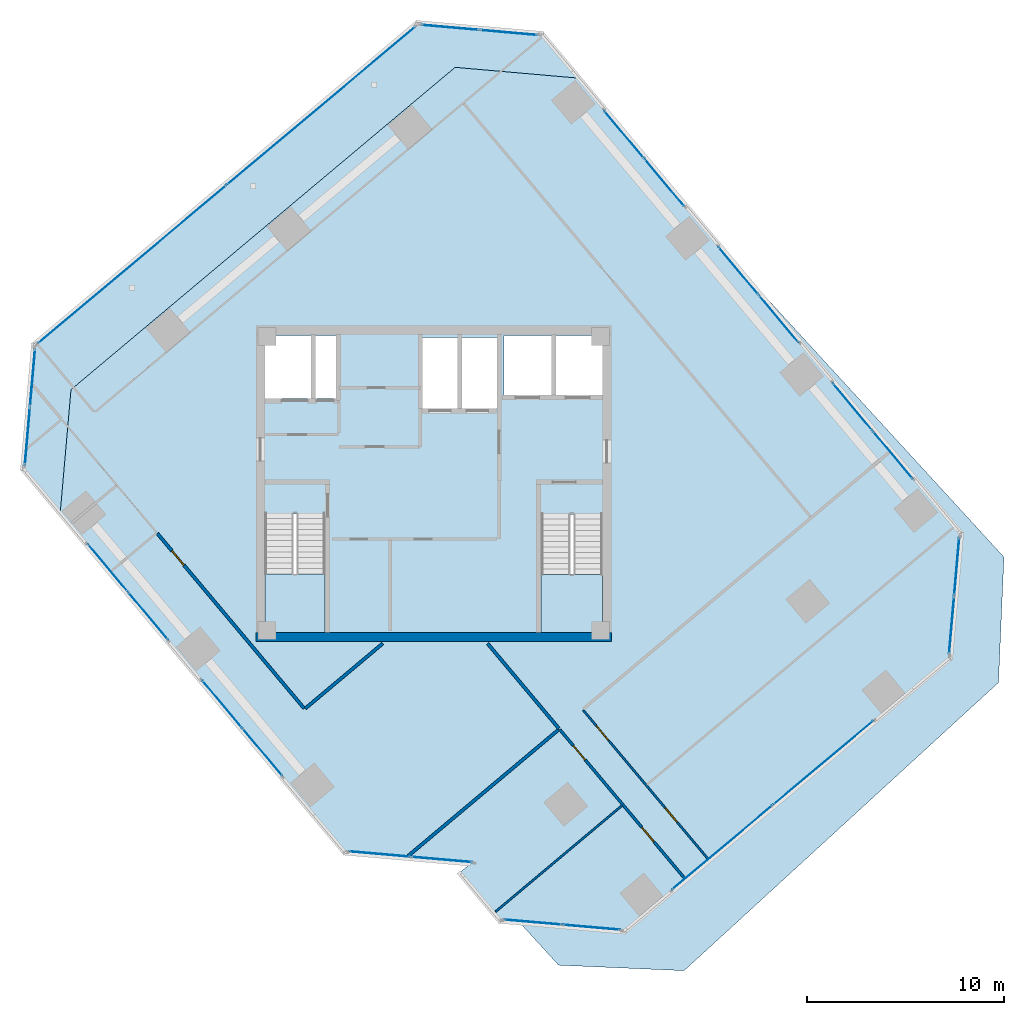
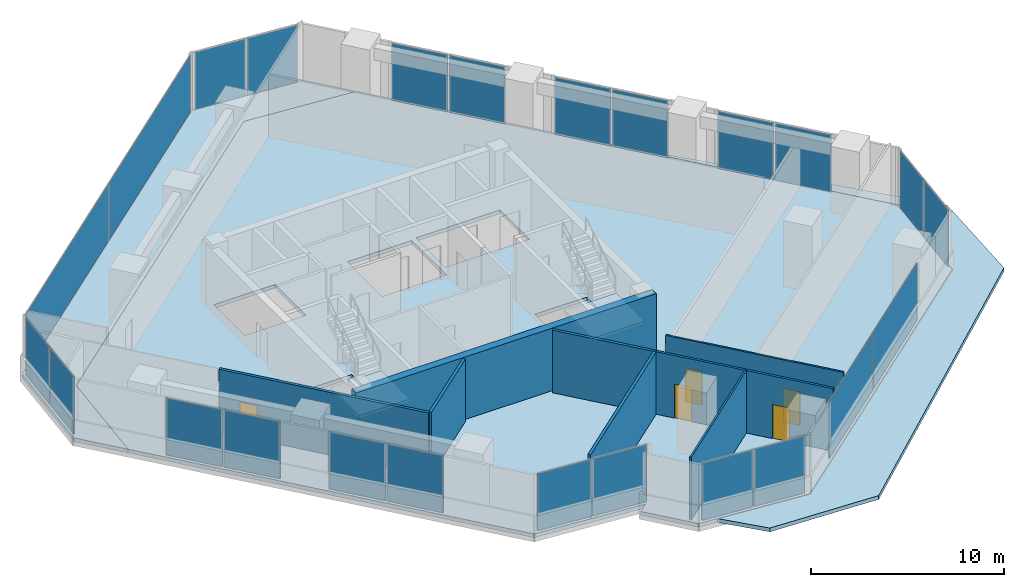
# One storey, part 12 of 17: 24 plates, 8 walls, 5 doors, 5 slabs, 5 openings, 14 elements without a shape of their own.
"""IFC4 building model written with IfcOpenShell, lengths in metres."""

import ifcopenshell
import ifcopenshell.guid

model = None  # the IFC model being written
_history = None  # IfcOwnerHistory: only IFC2X3 demands one
_inside = {}  # id of a spatial element -> (the spatial element, [elements in it])
_under = {}  # id of a project, library or spatial element -> (it, [spatial elements below it])
_declared = {}  # id of a project -> (the project, [libraries it declares])
_typed = {}  # id of a type object -> (the type object, [elements of that type])
_made_of = {}  # id of a material, layer set ... -> (it, [elements and type objects made of it])


def new_model(schema):
    """Start an empty IFC model of exactly this schema.

    Asked for "IFC4X3", IfcOpenShell would pick the latest addendum, in which some entities
    have other attributes; the version numbers below select the first issue.
    IFC2X3 requires an IfcOwnerHistory on every rooted entity: one is made here for all.
    """
    global model, _history
    if schema == "IFC4X3":
        model = ifcopenshell.file(schema_version=(4, 3, 0, 0))
    else:
        model = ifcopenshell.file(schema=schema)
    _inside.clear()
    _under.clear()
    _declared.clear()
    _typed.clear()
    _made_of.clear()
    _history = None
    if model.schema == "IFC2X3":
        org = make("IfcOrganization", Name="unknown")
        user = make(
            "IfcPersonAndOrganization",
            ThePerson=make("IfcPerson", FamilyName="unknown"),
            TheOrganization=org,
        )
        app = make(
            "IfcApplication",
            ApplicationDeveloper=org,
            Version="unknown",
            ApplicationFullName="unknown",
            ApplicationIdentifier="unknown",
        )
        _history = make(
            "IfcOwnerHistory",
            OwningUser=user,
            OwningApplication=app,
            ChangeAction="ADDED",
            CreationDate=0,
        )
    return model


def make(cls, **values):
    """One entity of the class cls with the attributes given. An attribute that is None is left unset."""
    return model.create_entity(
        cls, **{name: value for name, value in values.items() if value is not None}
    )


def rooted(cls, **values):
    """An entity with a GlobalId (a new one), such as an element, a storey or a relation."""
    return make(cls, GlobalId=ifcopenshell.guid.new(), OwnerHistory=_history, **values)


def si_unit(unit_type, name, prefix=None):
    """IfcSIUnit, for example si_unit("LENGTHUNIT", "METRE", prefix="MILLI")."""
    return make("IfcSIUnit", UnitType=unit_type, Prefix=prefix, Name=name)


def assignment(units):
    """IfcUnitAssignment: the units of a project."""
    return None if units is None else make("IfcUnitAssignment", Units=units)


def point(xyz):
    """IfcCartesianPoint."""
    return None if xyz is None else make("IfcCartesianPoint", Coordinates=xyz)


def direction(xyz):
    """IfcDirection."""
    return None if xyz is None else make("IfcDirection", DirectionRatios=xyz)


def frame(location, z_axis=None, x_axis=None):
    """IfcAxis2Placement3D, a coordinate frame: its origin and axes. An axis left out is left unset."""
    return make(
        "IfcAxis2Placement3D",
        Location=point(location),
        Axis=direction(z_axis),
        RefDirection=direction(x_axis),
    )


def frame_2d(location, x_axis=None):
    """IfcAxis2Placement2D, a coordinate frame in the plane: its origin and x axis."""
    return make(
        "IfcAxis2Placement2D", Location=point(location), RefDirection=direction(x_axis)
    )


def origin():
    """The frame at (0, 0, 0) with its axes left unset."""
    return frame((0.0, 0.0, 0.0))


def origin_2d():
    """The frame at (0, 0) in the plane with its x axis left unset."""
    return frame_2d((0.0, 0.0))


def place(relative_to, where):
    """IfcLocalPlacement: puts the frame where relative to a parent placement (None: the world)."""
    return make(
        "IfcLocalPlacement", PlacementRelTo=relative_to, RelativePlacement=where
    )


def context(
    kind, dimensions, precision=None, world=None, true_north=None, identifier=None
):
    """IfcGeometricRepresentationContext, for example the 3D "Model" context."""
    return make(
        "IfcGeometricRepresentationContext",
        ContextIdentifier=identifier,
        ContextType=kind,
        CoordinateSpaceDimension=dimensions,
        Precision=precision,
        WorldCoordinateSystem=world,
        TrueNorth=true_north,
    )


def subcontext(parent, identifier, kind, view, scale=None):
    """IfcGeometricRepresentationSubContext, for example "Body" below "Model"."""
    return make(
        "IfcGeometricRepresentationSubContext",
        ContextIdentifier=identifier,
        ContextType=kind,
        ParentContext=parent,
        TargetScale=scale,
        TargetView=view,
    )


def project(units=None, contexts=None):
    """IfcProject with its units and contexts."""
    return rooted(
        "IfcProject",
        Name="project",
        RepresentationContexts=contexts,
        UnitsInContext=assignment(units),
    )


def spatial(cls, under=None, at=None, **own):
    """A site, building, storey or space (cls), placed at a placement, below another one or the project."""
    s = rooted(cls, ObjectPlacement=at, **own)
    if under is not None:
        _under.setdefault(under.id(), (under, []))[1].append(s)
    return s


def polyline(points):
    """IfcPolyline through the points."""
    return make("IfcPolyline", Points=[point(p) for p in points])


def profile(cls, at=None, kind="AREA", **sizes):
    """A parametric profile (cls). Its sizes go by their IFC names, for example OverallWidth=200.0."""
    return make(cls, ProfileType=kind, Position=at, **sizes)


def rectangle(**sizes):
    """IfcRectangleProfileDef."""
    return profile("IfcRectangleProfileDef", **sizes)


def outline(outer, holes=None, kind="AREA"):
    """IfcArbitraryClosedProfileDef: a profile drawn as a closed curve; with holes, ...WithVoids."""
    if holes is None:
        return make("IfcArbitraryClosedProfileDef", ProfileType=kind, OuterCurve=outer)
    return make(
        "IfcArbitraryProfileDefWithVoids",
        ProfileType=kind,
        OuterCurve=outer,
        InnerCurves=holes,
    )


def extrude(swept, where, along, depth):
    """IfcExtrudedAreaSolid: the profile swept, set in the frame where, extruded along a direction by depth."""
    return make(
        "IfcExtrudedAreaSolid",
        SweptArea=swept,
        Position=where,
        ExtrudedDirection=direction(along),
        Depth=depth,
    )


def shape(context_of_items, identifier, shape_type, items):
    """IfcShapeRepresentation: the items that make up one representation, for example the "Body"."""
    return make(
        "IfcShapeRepresentation",
        ContextOfItems=context_of_items,
        RepresentationIdentifier=identifier,
        RepresentationType=shape_type,
        Items=items,
    )


def source(mapping_origin, context_of_items, identifier, shape_type, items):
    """IfcRepresentationMap: a shape defined once, which mapped items show again and again."""
    return make(
        "IfcRepresentationMap",
        MappingOrigin=mapping_origin,
        MappedRepresentation=shape(context_of_items, identifier, shape_type, items),
    )


def transform(
    local_origin,
    x_axis=None,
    y_axis=None,
    z_axis=None,
    scale=None,
    scale2=None,
    scale3=None,
    uniform=True,
):
    """IfcCartesianTransformationOperator3D, or its non-uniform kind. x_axis, y_axis, z_axis: its Axis1, 2, 3."""
    if uniform:
        return make(
            "IfcCartesianTransformationOperator3D",
            Axis1=direction(x_axis),
            Axis2=direction(y_axis),
            LocalOrigin=point(local_origin),
            Scale=scale,
            Axis3=direction(z_axis),
        )
    return make(
        "IfcCartesianTransformationOperator3DnonUniform",
        Axis1=direction(x_axis),
        Axis2=direction(y_axis),
        LocalOrigin=point(local_origin),
        Scale=scale,
        Axis3=direction(z_axis),
        Scale2=scale2,
        Scale3=scale3,
    )


def mapped(mapping_source, mapping_target):
    """IfcMappedItem: shows the shape of a source again, moved by a transform."""
    return make(
        "IfcMappedItem", MappingSource=mapping_source, MappingTarget=mapping_target
    )


def material(Name=None, Category=None):
    """IfcMaterial."""
    return make("IfcMaterial", Name=Name, Category=Category)


def layer(
    of_material, thickness, ventilated=None, Name=None, Category=None, Priority=None
):
    """IfcMaterialLayer: one layer of a wall or slab, of a material (None: an air gap)."""
    return make(
        "IfcMaterialLayer",
        Material=of_material,
        LayerThickness=thickness,
        IsVentilated=ventilated,
        Name=Name,
        Category=Category,
        Priority=Priority,
    )


def layer_set(layers, Name=None):
    """IfcMaterialLayerSet."""
    return make("IfcMaterialLayerSet", MaterialLayers=layers, LayerSetName=Name)


def made_of(thing, what):
    """Note that an element or type object is made of a material, layer set ...; save() writes the relation."""
    if what is not None:
        _made_of.setdefault(what.id(), (what, []))[1].append(thing)
    return thing


def type_object(cls, material=None, **own):
    """A type object (cls), such as IfcWallType, which elements share."""
    return made_of(rooted(cls, **own), material)


def element(
    cls,
    number,
    at=None,
    inside=None,
    cuts=None,
    type_object=None,
    material=None,
    context=None,
    identifier="Body",
    shape_type=None,
    held_by="IfcProductDefinitionShape",
    body=None,
    shapes=None,
    **own,
):
    """One element of the class cls, such as IfcWall. Its Tag is "e" and its number.

    at: its placement. inside: the storey or other place that contains it. cuts: it is an
    opening in that element (IfcRelVoidsElement). A single representation is given by context,
    identifier, shape_type and body (its items); several are given by shapes. held_by: the class
    of the entity that holds the representations. save() writes the other relations.
    """
    e = rooted(cls, Tag="e%d" % number, ObjectPlacement=at, **own)
    if body is not None:
        shapes = [shape(context, identifier, shape_type, body)]
    if shapes is not None:
        e.Representation = make(held_by, Representations=shapes)
    if inside is not None:
        _inside.setdefault(inside.id(), (inside, []))[1].append(e)
    if cuts is not None:
        rooted(
            "IfcRelVoidsElement", RelatingBuildingElement=cuts, RelatedOpeningElement=e
        )
    if type_object is not None:
        _typed.setdefault(type_object.id(), (type_object, []))[1].append(e)
    return made_of(e, material)


def fill(opening, filler):
    """IfcRelFillsElement: the door or window that sits in an opening."""
    return rooted(
        "IfcRelFillsElement",
        RelatingOpeningElement=opening,
        RelatedBuildingElement=filler,
    )


def aggregate(whole, parts):
    """IfcRelAggregates: a whole, such as a stair, and the parts it consists of."""
    return rooted("IfcRelAggregates", RelatingObject=whole, RelatedObjects=parts)


def save(model, path):
    """Write the relations noted so far, then the file.

    IfcRelAggregates (storeys below a building ...), IfcRelContainedInSpatialStructure (elements
    in a storey), IfcRelDefinesByType, IfcRelAssociatesMaterial and IfcRelDeclares: one each for
    every whole, place, type object, material and project.
    """
    for whole, parts in _under.values():
        aggregate(whole, parts)
    for where, things in _inside.values():
        rooted(
            "IfcRelContainedInSpatialStructure",
            RelatedElements=things,
            RelatingStructure=where,
        )
    for kind, things in _typed.values():
        rooted("IfcRelDefinesByType", RelatedObjects=things, RelatingType=kind)
    for what, things in _made_of.values():
        rooted("IfcRelAssociatesMaterial", RelatedObjects=things, RelatingMaterial=what)
    for by, libraries in _declared.values():
        rooted("IfcRelDeclares", RelatingContext=by, RelatedDefinitions=libraries)
    model.write(path)


model = new_model("IFC4")

# Units and contexts
model_context = context("Model", 3, precision=1e-05, world=origin(), true_north=direction((0.0, 1.0)))
body_context = subcontext(model_context, "Body", "Model", "MODEL_VIEW")
ifc_project = project(units=[si_unit("LENGTHUNIT", "METRE"), si_unit("AREAUNIT", "SQUARE_METRE"), si_unit("VOLUMEUNIT", "CUBIC_METRE"), si_unit("PLANEANGLEUNIT", "RADIAN"), si_unit("MASSUNIT", "GRAM", prefix="KILO")], contexts=[model_context])

# Site, building, storey
site_placement = place(None, origin())
site = spatial("IfcSite", under=ifc_project, at=site_placement, CompositionType="ELEMENT")
building_placement = place(site_placement, origin())
building = spatial("IfcBuilding", under=site, at=building_placement, Name="Torre Montelarca", CompositionType="ELEMENT")
storey_placement = place(building_placement, frame((0.0, 0.0, 266.800048828125)))
storey = spatial("IfcBuildingStorey", under=building, at=storey_placement, Name="L60", CompositionType="ELEMENT", Elevation=266.800048828125)

# Slabs
ifc_material_1 = material(Name="Concrete C40/50", Category="concrete")
ifc_layer_1 = layer(ifc_material_1, 0.239990234375, Name="Concrete C40/50", Category="concrete")
ifc_layer_set_1 = layer_set([ifc_layer_1], Name="Concrete C40/50")
slab_type_1 = type_object("IfcSlabType", Name="SL-FLR-240", PredefinedType="FLOOR", material=ifc_layer_set_1)
slab_1_placement = place(storey_placement, frame((0.0, 0.0, -0.239990234375)))
element("IfcSlab", 1, at=slab_1_placement, inside=storey, type_object=slab_type_1, Name="L60 Structural Floor Slab", PredefinedType="FLOOR", context=body_context, shape_type="SweptSolid", body=[
    extrude(outline(polyline([(13.4716796875, 13.253662109375), (19.811279296875, 12.698974609375), (19.275146484375, 12.2490234375), (21.33203125, 9.797607421875), (27.671875, 9.2431640625), (44.218505859375, 23.127197265625), (44.77294921875, 29.467041015625), (25.425048828125, 52.52490234375), (19.08544921875, 53.07958984375), (-0.3720703125, 36.752685546875), (-0.9267578125, 30.4130859375), (13.4716796875, 13.253662109375)]), holes=[polyline([(26.550048828125, 24.449951171875), (23.43994140625, 24.449951171875), (23.43994140625, 30.429931640625), (26.550048828125, 30.429931640625), (26.550048828125, 24.449951171875)]), polyline([(12.5, 24.449951171875), (9.449951171875, 24.449951171875), (9.449951171875, 30.4599609375), (12.5, 30.4599609375), (12.5, 24.449951171875)]), polyline([(21.25, 39.39990234375), (21.25, 35.800048828125), (17.39990234375, 35.800048828125), (17.39990234375, 39.39990234375), (21.25, 39.39990234375)]), polyline([(13.1201171875, 36.300048828125), (9.449951171875, 36.300048828125), (9.449951171875, 39.5), (13.1201171875, 39.5), (13.1201171875, 36.300048828125)]), polyline([(26.60009765625, 36.449951171875), (21.550048828125, 36.449951171875), (21.550048828125, 39.5), (26.60009765625, 39.5), (26.60009765625, 36.449951171875)])]), origin(), (0.0, 0.0, 1.0), 0.239990234375),
])
slab_2_placement = place(storey_placement, frame((0.0, 0.0, -0.239990234375)))
element("IfcSlab", 2, at=slab_2_placement, inside=storey, type_object=slab_type_1, Name="L60 Sliding Tray Winter Garden Floor Slab W1", PredefinedType="FLOOR", context=body_context, shape_type="SweptSolid", body=[
    extrude(outline(polyline([(-0.9267578125, 30.4130859375), (-0.3720703125, 36.752685546875), (19.08544921875, 53.07958984375), (25.425048828125, 52.52490234375), (23.496826171875, 54.822998046875), (17.156982421875, 55.377685546875), (-2.300537109375, 39.05078125), (-2.855224609375, 32.711181640625), (-0.9267578125, 30.4130859375)])), origin(), (0.0, 0.0, 1.0), 0.239990234375),
])
ifc_material_2 = material(Name="Architectural concrete C40/50", Category="concrete")
ifc_layer_2 = layer(ifc_material_2, 0.239990234375, Name="Architectural concrete C40/50", Category="concrete")
ifc_layer_set_2 = layer_set([ifc_layer_2], Name="Architectural concrete C40/50")
slab_type_2 = type_object("IfcSlabType", Name="SL-ROOF-EXT-240", PredefinedType="ROOF", material=ifc_layer_set_2)
slab_3_placement = place(storey_placement, frame((0.0, 0.0, -0.239990234375)))
element("IfcSlab", 3, at=slab_3_placement, inside=storey, type_object=slab_type_2, Name="L59 Setback and Tray Overhang Roof Cap Slab 01", PredefinedType="ROOF", context=body_context, shape_type="SweptSolid", body=[
    extrude(outline(polyline([(44.78125, 29.469482421875), (44.22607421875, 23.123291015625), (27.67431640625, 9.23486328125), (22.406982421875, 9.695556640625), (24.327392578125, 7.599609375), (30.685302734375, 7.322021484375), (46.610595703125, 21.914794921875), (46.88818359375, 28.272705078125), (33.80712890625, 42.548095703125), (44.78125, 29.469482421875)])), origin(), (0.0, 0.0, 1.0), 0.239990234375),
])

# Stair, slab
stair_type_1 = type_object("IfcStairType", Name="ST-CORE-ST1", PredefinedType="HALF_TURN_STAIR", material=ifc_material_1)
stair_1_placement = place(storey_placement, origin())
stair_1 = element("IfcStair", 4, at=stair_1_placement, inside=storey, type_object=stair_type_1, Name="L60 Protected Exit Stair ST1", PredefinedType="HALF_TURN_STAIR")
ifc_layer_3 = layer(ifc_material_1, 0.199951171875, Name="Concrete C40/50", Category="concrete")
ifc_layer_set_3 = layer_set([ifc_layer_3], Name="Concrete C40/50")
slab_type_3 = type_object("IfcSlabType", Name="SL-ST-LAND-ST1", PredefinedType="LANDING", material=ifc_layer_set_3)
slab_4_placement = place(storey_placement, frame((0.0, 0.0, 1.89990234375)))
slab_4 = element("IfcSlab", 5, at=slab_4_placement, type_object=slab_type_3, Name="ST1 landing 1", PredefinedType="LANDING", context=body_context, shape_type="SweptSolid", body=[
    extrude(outline(polyline([(9.449951171875, 27.419921875), (9.449951171875, 24.449951171875), (12.5, 24.449951171875), (12.5, 27.419921875), (9.449951171875, 27.419921875)])), origin(), (0.0, 0.0, 1.0), 0.199951171875),
])
aggregate(stair_1, [slab_4])

stair_type_2 = type_object("IfcStairType", Name="ST-CORE-ST2", PredefinedType="HALF_TURN_STAIR", material=ifc_material_1)
stair_2_placement = place(storey_placement, origin())
stair_2 = element("IfcStair", 6, at=stair_2_placement, inside=storey, type_object=stair_type_2, Name="L60 Protected Exit Stair ST2", PredefinedType="HALF_TURN_STAIR")
ifc_layer_4 = layer(ifc_material_1, 0.199951171875, Name="Concrete C40/50", Category="concrete")
ifc_layer_set_4 = layer_set([ifc_layer_4], Name="Concrete C40/50")
slab_type_4 = type_object("IfcSlabType", Name="SL-ST-LAND-ST2", PredefinedType="LANDING", material=ifc_layer_set_4)
slab_5_placement = place(storey_placement, frame((0.0, 0.0, 1.89990234375)))
slab_5 = element("IfcSlab", 7, at=slab_5_placement, type_object=slab_type_4, Name="ST2 landing 1", PredefinedType="LANDING", context=body_context, shape_type="SweptSolid", body=[
    extrude(outline(polyline([(23.43994140625, 27.389892578125), (23.43994140625, 24.449951171875), (26.550048828125, 24.449951171875), (26.550048828125, 27.389892578125), (23.43994140625, 27.389892578125)])), origin(), (0.0, 0.0, 1.0), 0.199951171875),
])
aggregate(stair_2, [slab_5])

# Curtain wall, plates
ifc_material_3 = material(Name="Insulated low-E laminated glass", Category="glass")
curtain_wall_type = type_object("IfcCurtainWallType", Name="CW-SYS-Z3", PredefinedType="USERDEFINED", material=ifc_material_3)
curtain_wall_1_placement = place(storey_placement, origin())
curtain_wall_1 = element("IfcCurtainWall", 8, at=curtain_wall_1_placement, inside=storey, type_object=curtain_wall_type, Name="L60 Curtain Wall Run CW-T3-L60-E02-B1", ObjectType="UNITISED GLAZING", PredefinedType="USERDEFINED")
ifc_layer_5 = layer(ifc_material_3, 0.031982421875, Name="Insulated low-E laminated glass", Category="glass")
ifc_layer_set_5 = layer_set([ifc_layer_5], Name="Insulated low-E laminated glass")
plate_type = type_object("IfcPlateType", Name="CWP-GLZ-32", PredefinedType="CURTAIN_PANEL", material=ifc_layer_set_5)
shared_shape_1 = source(origin(), body_context, "Body", "SweptSolid", [
    extrude(rectangle(XDim=3.08740234375, YDim=0.031982421875, at=origin_2d()), origin(), (0.0, 0.0, 1.0), 3.610107421875),
])
plate_1_placement = place(storey_placement, frame((15.2607421875, 13.227783203125, 0.0546875), z_axis=(0.0, 0.0, 1.0), x_axis=(0.996193123861, -0.087173734413, 0.0)))
plate_1 = element("IfcPlate", 9, at=plate_1_placement, type_object=plate_type, Name="CW panel 1.1", PredefinedType="CURTAIN_PANEL", context=body_context, shape_type="MappedRepresentation", body=[
    mapped(shared_shape_1, transform((0.0, 0.0, 0.0), scale=1.0)),
])
plate_2_placement = place(storey_placement, frame((18.4111328125, 12.951904296875, 0.0546875), z_axis=(0.0, 0.0, 1.0), x_axis=(0.996193123861, -0.087173734413, 0.0)))
plate_2 = element("IfcPlate", 10, at=plate_2_placement, type_object=plate_type, Name="CW panel 2.1", PredefinedType="CURTAIN_PANEL", context=body_context, shape_type="MappedRepresentation", body=[
    mapped(shared_shape_1, transform((0.0, 0.0, 0.0), scale=1.0)),
])
aggregate(curtain_wall_1, [plate_1, plate_2])

curtain_wall_2_placement = place(storey_placement, origin())
curtain_wall_2 = element("IfcCurtainWall", 11, at=curtain_wall_2_placement, inside=storey, type_object=curtain_wall_type, Name="L60 Curtain Wall Run CW-T3-L60-E05-B1", ObjectType="UNITISED GLAZING", PredefinedType="USERDEFINED")
shared_shape_2 = source(origin(), body_context, "Body", "SweptSolid", [
    extrude(rectangle(XDim=2.903564453125, YDim=0.031982421875, at=origin_2d()), origin(), (0.0, 0.0, 1.0), 3.610107421875),
])
plate_3_placement = place(storey_placement, frame((23.02978515625, 9.77978515625, 0.0546875), z_axis=(0.0, 0.0, 1.0), x_axis=(0.996193789473, -0.087166127681, 0.0)))
plate_3 = element("IfcPlate", 12, at=plate_3_placement, type_object=plate_type, Name="CW panel 1.1", PredefinedType="CURTAIN_PANEL", context=body_context, shape_type="MappedRepresentation", body=[
    mapped(shared_shape_2, transform((0.0, 0.0, 0.0), scale=1.0)),
])
plate_4_placement = place(storey_placement, frame((25.996826171875, 9.52001953125, 0.0546875), z_axis=(0.0, 0.0, 1.0), x_axis=(0.996193789473, -0.087166127681, 0.0)))
plate_4 = element("IfcPlate", 13, at=plate_4_placement, type_object=plate_type, Name="CW panel 2.1", PredefinedType="CURTAIN_PANEL", context=body_context, shape_type="MappedRepresentation", body=[
    mapped(shared_shape_2, transform((0.0, 0.0, 0.0), scale=1.0)),
])
aggregate(curtain_wall_2, [plate_3, plate_4])

curtain_wall_3_placement = place(storey_placement, origin())
curtain_wall_3 = element("IfcCurtainWall", 14, at=curtain_wall_3_placement, inside=storey, type_object=curtain_wall_type, Name="L60 Curtain Wall Run CW-T3-L60-E07-B1", ObjectType="UNITISED GLAZING", PredefinedType="USERDEFINED")
plate_5_placement = place(storey_placement, frame((44.236328125, 24.824951171875, 0.0546875), z_axis=(0.0, 0.0, 1.0), x_axis=(0.087166127681, 0.996193789473, 0.0)))
plate_5 = element("IfcPlate", 15, at=plate_5_placement, type_object=plate_type, Name="CW panel 1.1", PredefinedType="CURTAIN_PANEL", context=body_context, shape_type="MappedRepresentation", body=[
    mapped(shared_shape_2, transform((0.0, 0.0, 0.0), scale=1.0)),
])
plate_6_placement = place(storey_placement, frame((44.49609375, 27.792236328125, 0.0546875), z_axis=(0.0, 0.0, 1.0), x_axis=(0.087166127681, 0.996193789473, 0.0)))
plate_6 = element("IfcPlate", 16, at=plate_6_placement, type_object=plate_type, Name="CW panel 2.1", PredefinedType="CURTAIN_PANEL", context=body_context, shape_type="MappedRepresentation", body=[
    mapped(shared_shape_2, transform((0.0, 0.0, 0.0), scale=1.0)),
])
aggregate(curtain_wall_3, [plate_5, plate_6])

curtain_wall_4_placement = place(storey_placement, origin())
curtain_wall_4 = element("IfcCurtainWall", 17, at=curtain_wall_4_placement, inside=storey, type_object=curtain_wall_type, Name="L60 Curtain Wall Run CW-T3-L60-E09-B1", ObjectType="UNITISED GLAZING", PredefinedType="USERDEFINED")
plate_7_placement = place(storey_placement, frame((21.79931640625, 54.841064453125, 0.0546875), z_axis=(0.0, 0.0, 1.0), x_axis=(-0.996193915427, 0.087164688188, 0.0)))
plate_7 = element("IfcPlate", 18, at=plate_7_placement, type_object=plate_type, Name="CW panel 1.1", PredefinedType="CURTAIN_PANEL", context=body_context, shape_type="MappedRepresentation", body=[
    mapped(shared_shape_2, transform((0.0, 0.0, 0.0), scale=1.0)),
])
plate_8_placement = place(storey_placement, frame((18.831787109375, 55.100830078125, 0.0546875), z_axis=(0.0, 0.0, 1.0), x_axis=(-0.996193915427, 0.087164688188, 0.0)))
plate_8 = element("IfcPlate", 19, at=plate_8_placement, type_object=plate_type, Name="CW panel 2.1", PredefinedType="CURTAIN_PANEL", context=body_context, shape_type="MappedRepresentation", body=[
    mapped(shared_shape_2, transform((0.0, 0.0, 0.0), scale=1.0)),
])
aggregate(curtain_wall_4, [plate_7, plate_8])

curtain_wall_5_placement = place(storey_placement, origin())
curtain_wall_5 = element("IfcCurtainWall", 20, at=curtain_wall_5_placement, inside=storey, type_object=curtain_wall_type, Name="L60 Curtain Wall Run CW-T3-L60-E11-B1", ObjectType="UNITISED GLAZING", PredefinedType="USERDEFINED")
plate_9_placement = place(storey_placement, frame((-2.318603515625, 37.353271484375, 0.0546875), z_axis=(0.0, 0.0, 1.0), x_axis=(-0.087182579501, -0.996192349816, 0.0)))
plate_9 = element("IfcPlate", 21, at=plate_9_placement, type_object=plate_type, Name="CW panel 1.1", PredefinedType="CURTAIN_PANEL", context=body_context, shape_type="MappedRepresentation", body=[
    mapped(shared_shape_2, transform((0.0, 0.0, 0.0), scale=1.0)),
])
plate_10_placement = place(storey_placement, frame((-2.578125, 34.385986328125, 0.0546875), z_axis=(0.0, 0.0, 1.0), x_axis=(-0.087182579501, -0.996192349816, 0.0)))
plate_10 = element("IfcPlate", 22, at=plate_10_placement, type_object=plate_type, Name="CW panel 2.1", PredefinedType="CURTAIN_PANEL", context=body_context, shape_type="MappedRepresentation", body=[
    mapped(shared_shape_2, transform((0.0, 0.0, 0.0), scale=1.0)),
])
aggregate(curtain_wall_5, [plate_9, plate_10])

curtain_wall_6_placement = place(storey_placement, origin())
curtain_wall_6 = element("IfcCurtainWall", 23, at=curtain_wall_6_placement, inside=storey, type_object=curtain_wall_type, Name="L60 Curtain Wall Run CW-T3-L60-E10-B1", ObjectType="UNITISED GLAZING", PredefinedType="USERDEFINED")
shared_shape_3 = source(origin(), body_context, "Body", "SweptSolid", [
    extrude(rectangle(XDim=12.421630859375, YDim=0.031982421875, at=origin_2d()), origin(), (0.0, 0.0, 1.0), 3.610107421875),
])
plate_11_placement = place(storey_placement, frame((12.29833984375, 51.131103515625, 0.0546875), z_axis=(0.0, 0.0, 1.0), x_axis=(-0.766043772472, -0.642788408931, 0.0)))
plate_11 = element("IfcPlate", 24, at=plate_11_placement, type_object=plate_type, Name="CW panel 1.1", PredefinedType="CURTAIN_PANEL", context=body_context, shape_type="MappedRepresentation", body=[
    mapped(shared_shape_3, transform((0.0, 0.0, 0.0), scale=1.0)),
])
plate_12_placement = place(storey_placement, frame((2.725341796875, 43.098388671875, 0.0546875), z_axis=(0.0, 0.0, 1.0), x_axis=(-0.766043772472, -0.642788408931, 0.0)))
plate_12 = element("IfcPlate", 25, at=plate_12_placement, type_object=plate_type, Name="CW panel 2.1", PredefinedType="CURTAIN_PANEL", context=body_context, shape_type="MappedRepresentation", body=[
    mapped(shared_shape_3, transform((0.0, 0.0, 0.0), scale=1.0)),
])
aggregate(curtain_wall_6, [plate_11, plate_12])

curtain_wall_7_placement = place(storey_placement, origin())
curtain_wall_7 = element("IfcCurtainWall", 26, at=curtain_wall_7_placement, inside=storey, type_object=curtain_wall_type, Name="L60 Curtain Wall Run CW-T3-L60-E01-B1", ObjectType="UNITISED GLAZING", PredefinedType="USERDEFINED")
shared_shape_4 = source(origin(), body_context, "Body", "SweptSolid", [
    extrude(rectangle(XDim=3.107421875, YDim=0.031982421875, at=origin_2d()), origin(), (0.0, 0.0, 1.0), 3.610107421875),
])
plate_13_placement = place(storey_placement, frame((1.492431640625, 27.732177734375, 0.0546875), z_axis=(0.0, 0.0, 1.0), x_axis=(0.642793968997, -0.766039106979, 0.0)))
plate_13 = element("IfcPlate", 27, at=plate_13_placement, type_object=plate_type, Name="CW panel 1.1", PredefinedType="CURTAIN_PANEL", context=body_context, shape_type="MappedRepresentation", body=[
    mapped(shared_shape_4, transform((0.0, 0.0, 0.0), scale=1.0)),
])
plate_14_placement = place(storey_placement, frame((3.5380859375, 25.294189453125, 0.0546875), z_axis=(0.0, 0.0, 1.0), x_axis=(0.642793968997, -0.766039106979, 0.0)))
plate_14 = element("IfcPlate", 28, at=plate_14_placement, type_object=plate_type, Name="CW panel 2.1", PredefinedType="CURTAIN_PANEL", context=body_context, shape_type="MappedRepresentation", body=[
    mapped(shared_shape_4, transform((0.0, 0.0, 0.0), scale=1.0)),
])
aggregate(curtain_wall_7, [plate_13, plate_14])

curtain_wall_8_placement = place(storey_placement, origin())
curtain_wall_8 = element("IfcCurtainWall", 29, at=curtain_wall_8_placement, inside=storey, type_object=curtain_wall_type, Name="L60 Curtain Wall Run CW-T3-L60-E01-B2", ObjectType="UNITISED GLAZING", PredefinedType="USERDEFINED")
plate_15_placement = place(storey_placement, frame((7.277587890625, 20.837646484375, 0.0546875), z_axis=(0.0, 0.0, 1.0), x_axis=(0.642793968997, -0.766039106979, 0.0)))
plate_15 = element("IfcPlate", 30, at=plate_15_placement, type_object=plate_type, Name="CW panel 1.1", PredefinedType="CURTAIN_PANEL", context=body_context, shape_type="MappedRepresentation", body=[
    mapped(shared_shape_4, transform((0.0, 0.0, 0.0), scale=1.0)),
])
plate_16_placement = place(storey_placement, frame((9.3232421875, 18.39990234375, 0.0546875), z_axis=(0.0, 0.0, 1.0), x_axis=(0.642793968997, -0.766039106979, 0.0)))
plate_16 = element("IfcPlate", 31, at=plate_16_placement, type_object=plate_type, Name="CW panel 2.1", PredefinedType="CURTAIN_PANEL", context=body_context, shape_type="MappedRepresentation", body=[
    mapped(shared_shape_4, transform((0.0, 0.0, 0.0), scale=1.0)),
])
aggregate(curtain_wall_8, [plate_15, plate_16])

curtain_wall_9_placement = place(storey_placement, origin())
curtain_wall_9 = element("IfcCurtainWall", 32, at=curtain_wall_9_placement, inside=storey, type_object=curtain_wall_type, Name="L60 Curtain Wall Run CW-T3-L60-E08-B1", ObjectType="UNITISED GLAZING", PredefinedType="USERDEFINED")
plate_17_placement = place(storey_placement, frame((41.260986328125, 33.4501953125, 0.0546875), z_axis=(0.0, 0.0, 1.0), x_axis=(-0.642793968997, 0.766039106979, 0.0)))
plate_17 = element("IfcPlate", 33, at=plate_17_placement, type_object=plate_type, Name="CW panel 1.1", PredefinedType="CURTAIN_PANEL", context=body_context, shape_type="MappedRepresentation", body=[
    mapped(shared_shape_4, transform((0.0, 0.0, 0.0), scale=1.0)),
])
plate_18_placement = place(storey_placement, frame((39.21533203125, 35.88818359375, 0.0546875), z_axis=(0.0, 0.0, 1.0), x_axis=(-0.642793968997, 0.766039106979, 0.0)))
plate_18 = element("IfcPlate", 34, at=plate_18_placement, type_object=plate_type, Name="CW panel 2.1", PredefinedType="CURTAIN_PANEL", context=body_context, shape_type="MappedRepresentation", body=[
    mapped(shared_shape_4, transform((0.0, 0.0, 0.0), scale=1.0)),
])
aggregate(curtain_wall_9, [plate_17, plate_18])

curtain_wall_10_placement = place(storey_placement, origin())
curtain_wall_10 = element("IfcCurtainWall", 35, at=curtain_wall_10_placement, inside=storey, type_object=curtain_wall_type, Name="L60 Curtain Wall Run CW-T3-L60-E08-B2", ObjectType="UNITISED GLAZING", PredefinedType="USERDEFINED")
plate_19_placement = place(storey_placement, frame((35.475830078125, 40.344482421875, 0.0546875), z_axis=(0.0, 0.0, 1.0), x_axis=(-0.642793968997, 0.766039106979, 0.0)))
plate_19 = element("IfcPlate", 36, at=plate_19_placement, type_object=plate_type, Name="CW panel 1.1", PredefinedType="CURTAIN_PANEL", context=body_context, shape_type="MappedRepresentation", body=[
    mapped(shared_shape_4, transform((0.0, 0.0, 0.0), scale=1.0)),
])
plate_20_placement = place(storey_placement, frame((33.43017578125, 42.782470703125, 0.0546875), z_axis=(0.0, 0.0, 1.0), x_axis=(-0.642793968997, 0.766039106979, 0.0)))
plate_20 = element("IfcPlate", 37, at=plate_20_placement, type_object=plate_type, Name="CW panel 2.1", PredefinedType="CURTAIN_PANEL", context=body_context, shape_type="MappedRepresentation", body=[
    mapped(shared_shape_4, transform((0.0, 0.0, 0.0), scale=1.0)),
])
aggregate(curtain_wall_10, [plate_19, plate_20])

curtain_wall_11_placement = place(storey_placement, origin())
curtain_wall_11 = element("IfcCurtainWall", 38, at=curtain_wall_11_placement, inside=storey, type_object=curtain_wall_type, Name="L60 Curtain Wall Run CW-T3-L60-E08-B3", ObjectType="UNITISED GLAZING", PredefinedType="USERDEFINED")
plate_21_placement = place(storey_placement, frame((29.69091796875, 47.239013671875, 0.0546875), z_axis=(0.0, 0.0, 1.0), x_axis=(-0.642793968997, 0.766039106979, 0.0)))
plate_21 = element("IfcPlate", 39, at=plate_21_placement, type_object=plate_type, Name="CW panel 1.1", PredefinedType="CURTAIN_PANEL", context=body_context, shape_type="MappedRepresentation", body=[
    mapped(shared_shape_4, transform((0.0, 0.0, 0.0), scale=1.0)),
])
plate_22_placement = place(storey_placement, frame((27.645263671875, 49.677001953125, 0.0546875), z_axis=(0.0, 0.0, 1.0), x_axis=(-0.642793968997, 0.766039106979, 0.0)))
plate_22 = element("IfcPlate", 40, at=plate_22_placement, type_object=plate_type, Name="CW panel 2.1", PredefinedType="CURTAIN_PANEL", context=body_context, shape_type="MappedRepresentation", body=[
    mapped(shared_shape_4, transform((0.0, 0.0, 0.0), scale=1.0)),
])
aggregate(curtain_wall_11, [plate_21, plate_22])

curtain_wall_12_placement = place(storey_placement, origin())
curtain_wall_12 = element("IfcCurtainWall", 41, at=curtain_wall_12_placement, inside=storey, type_object=curtain_wall_type, Name="L60 Curtain Wall Run CW-T3-L60-E06-B1", ObjectType="UNITISED GLAZING", PredefinedType="USERDEFINED")
shared_shape_5 = source(origin(), body_context, "Body", "SweptSolid", [
    extrude(rectangle(XDim=6.607421875, YDim=0.031982421875, at=origin_2d()), origin(), (0.0, 0.0, 1.0), 3.610107421875),
])
plate_23_placement = place(storey_placement, frame((32.612548828125, 13.55859375, 0.0546875), z_axis=(0.0, 0.0, 1.0), x_axis=(0.766042031024, 0.642790484298, 0.0)))
plate_23 = element("IfcPlate", 42, at=plate_23_placement, type_object=plate_type, Name="CW panel 1.1", PredefinedType="CURTAIN_PANEL", context=body_context, shape_type="MappedRepresentation", body=[
    mapped(shared_shape_5, transform((0.0, 0.0, 0.0), scale=1.0)),
])
plate_24_placement = place(storey_placement, frame((37.731689453125, 17.85400390625, 0.0546875), z_axis=(0.0, 0.0, 1.0), x_axis=(0.766042031024, 0.642790484298, 0.0)))
plate_24 = element("IfcPlate", 43, at=plate_24_placement, type_object=plate_type, Name="CW panel 2.1", PredefinedType="CURTAIN_PANEL", context=body_context, shape_type="MappedRepresentation", body=[
    mapped(shared_shape_5, transform((0.0, 0.0, 0.0), scale=1.0)),
])
aggregate(curtain_wall_12, [plate_23, plate_24])

# Wall
ifc_material_4 = material(Name="Concrete C55/67", Category="concrete")
ifc_layer_6 = layer(ifc_material_4, 0.449951171875, Name="Concrete C55/67", Category="concrete")
ifc_layer_set_6 = layer_set([ifc_layer_6], Name="Concrete C55/67")
wall_type_1 = type_object("IfcWallType", Name="CW-SHEAR-450", PredefinedType="SHEAR", material=ifc_layer_set_6)
wall_1_placement = place(storey_placement, frame((9.0, 24.22509765625, 0.0), z_axis=(0.0, 0.0, 1.0), x_axis=(1.0, 0.0, 0.0)))
element("IfcWall", 44, at=wall_1_placement, inside=storey, type_object=wall_type_1, Name="L60 Core Shear Wall CW-S1", PredefinedType="SHEAR", context=body_context, shape_type="SweptSolid", body=[
    extrude(rectangle(XDim=18.0, YDim=0.449951171875, at=frame_2d((9.0, 0.0))), origin(), (0.0, 0.0, 1.0), 3.9599609375),
])

# Wall, opening, door
ifc_material_5 = material(Name="Gypsum plasterboard on steel stud", Category="steel")
ifc_layer_7 = layer(ifc_material_5, 0.159912109375, Name="Gypsum plasterboard on steel stud", Category="steel")
ifc_layer_set_7 = layer_set([ifc_layer_7], Name="Gypsum plasterboard on steel stud")
wall_type_2 = type_object("IfcWallType", Name="PW-FIRE-160", PredefinedType="PARTITIONING", material=ifc_layer_set_7)
wall_2_placement = place(storey_placement, frame((4.001953125, 29.470703125, 0.0), z_axis=(0.0, 0.0, 1.0), x_axis=(0.642802048813, -0.766032327021, 0.0)))
wall_2 = element("IfcWall", 45, at=wall_2_placement, inside=storey, type_object=wall_type_2, Name="L60 Interior Partition W-L60-SOCCN", PredefinedType="PARTITIONING", context=body_context, shape_type="SweptSolid", body=[
    extrude(rectangle(XDim=11.570068359375, YDim=0.159912109375, at=frame_2d((5.78515625, 0.0))), origin(), (0.0, 0.0, 1.0), 3.9599609375),
])
opening_1_placement = place(wall_2_placement, frame((1.14990234375, 0.0, 0.0)))
opening_1 = element("IfcOpeningElement", 46, at=opening_1_placement, cuts=wall_2, Name="Opening FD-095", PredefinedType="OPENING", context=body_context, shape_type="SweptSolid", body=[
    extrude(rectangle(XDim=0.949951171875, YDim=2.14990234375, at=frame_2d((0.47509765625, 1.074951171875))), frame((0.0, 0.08984375, 0.0), z_axis=(0.0, -1.0, 0.0), x_axis=(1.0, 0.0, 0.0)), (0.0, 0.0, 1.0), 0.179931640625),
])
ifc_material_6 = material(Name="Timber fire-rated room door", Category="wood")
door_type_1 = type_object("IfcDoorType", Name="DR-FIRE-095", OperationType="NOTDEFINED", PredefinedType="DOOR", material=ifc_material_6)
shared_shape_6 = source(origin(), body_context, "Body", "SweptSolid", [
    extrude(rectangle(XDim=0.949951171875, YDim=2.14990234375, at=frame_2d((0.47509765625, 1.074951171875))), frame((0.0, 0.02490234375, 0.0), z_axis=(0.0, -1.0, 0.0), x_axis=(1.0, 0.0, 0.0)), (0.0, 0.0, 1.0), 0.050048828125),
])
door_1_placement = place(opening_1_placement, origin())
door_1 = element("IfcDoor", 47, at=door_1_placement, inside=storey, type_object=door_type_1, Name="L60 Interior Door 08", OperationType="SINGLE_SWING_RIGHT", OverallHeight=2.14990234375, OverallWidth=0.949951171875, PredefinedType="DOOR", context=body_context, shape_type="MappedRepresentation", body=[
    mapped(shared_shape_6, transform((0.0, 0.0, 0.0), scale=1.0)),
])
fill(opening_1, door_1)

# Walls
wall_3_placement = place(storey_placement, frame((11.495361328125, 20.602783203125, 0.0), z_axis=(0.0, 0.0, 1.0), x_axis=(0.766059769702, 0.642769343734, 0.0)))
element("IfcWall", 48, at=wall_3_placement, inside=storey, type_object=wall_type_2, Name="L60 Interior Partition W-L60-SOCCW3", PredefinedType="PARTITIONING", context=body_context, shape_type="SweptSolid", body=[
    extrude(rectangle(XDim=5.120849609375, YDim=0.159912109375, at=frame_2d((2.560546875, 0.0))), origin(), (0.0, 0.0, 1.0), 3.9599609375),
])
wall_4_placement = place(storey_placement, frame((20.734375, 23.889404296875, 0.0), z_axis=(0.0, 0.0, 1.0), x_axis=(0.642758145725, -0.766069165353, 0.0)))
element("IfcWall", 49, at=wall_4_placement, inside=storey, type_object=wall_type_2, Name="L60 Interior Partition W-L60-SOCCN3", PredefinedType="PARTITIONING", context=body_context, shape_type="SweptSolid", body=[
    extrude(rectangle(XDim=5.60888671875, YDim=0.159912109375, at=frame_2d((2.804443359375, 0.0))), origin(), (0.0, 0.0, 1.0), 3.9599609375),
])
wall_5_placement = place(storey_placement, frame((16.711181640625, 13.13916015625, 0.0), z_axis=(0.0, 0.0, 1.0), x_axis=(0.766041122188, 0.642791567398, 0.0)))
element("IfcWall", 50, at=wall_5_placement, inside=storey, type_object=wall_type_2, Name="L60 Interior Partition W-L60-ECS", PredefinedType="PARTITIONING", context=body_context, shape_type="SweptSolid", body=[
    extrude(rectangle(XDim=9.951904296875, YDim=0.159912109375, at=frame_2d((4.97607421875, 0.0))), origin(), (0.0, 0.0, 1.0), 3.9599609375),
])

# Wall, openings, doors
ifc_material_7 = material(Name="Acoustic laminated glass partition", Category="glass")
ifc_layer_8 = layer(ifc_material_7, 0.10009765625, Name="Acoustic laminated glass partition", Category="glass")
ifc_layer_set_8 = layer_set([ifc_layer_8], Name="Acoustic laminated glass partition")
wall_type_3 = type_object("IfcWallType", Name="PW-GLAZ-100", PredefinedType="PARTITIONING", material=ifc_layer_set_8)
wall_6_placement = place(storey_placement, frame((25.57080078125, 20.521240234375, 0.0), z_axis=(0.0, 0.0, 1.0), x_axis=(0.64278520229, -0.766046463158, 0.0)))
wall_6 = element("IfcWall", 51, at=wall_6_placement, inside=storey, type_object=wall_type_3, Name="L60 Interior Partition W-L60-NE-S", PredefinedType="PARTITIONING", context=body_context, shape_type="SweptSolid", body=[
    extrude(rectangle(XDim=9.810302734375, YDim=0.10009765625, at=frame_2d((4.9052734375, 0.0))), origin(), (0.0, 0.0, 1.0), 3.9599609375),
])
opening_2_placement = place(wall_6_placement, frame((1.050048828125, 0.0, 0.0)))
opening_2 = element("IfcOpeningElement", 52, at=opening_2_placement, cuts=wall_6, Name="Opening ID-095", PredefinedType="OPENING", context=body_context, shape_type="SweptSolid", body=[
    extrude(rectangle(XDim=0.949951171875, YDim=2.14990234375, at=frame_2d((0.47509765625, 1.074951171875))), frame((0.0, 0.06005859375, 0.0), z_axis=(0.0, -1.0, 0.0), x_axis=(1.0, 0.0, 0.0)), (0.0, 0.0, 1.0), 0.1201171875),
])
opening_3_placement = place(wall_6_placement, frame((6.4599609375, 0.0, 0.0)))
opening_3 = element("IfcOpeningElement", 53, at=opening_3_placement, cuts=wall_6, Name="Opening ID-095", PredefinedType="OPENING", context=body_context, shape_type="SweptSolid", body=[
    extrude(rectangle(XDim=0.949951171875, YDim=2.14990234375, at=frame_2d((0.47509765625, 1.074951171875))), frame((0.0, 0.06005859375, 0.0), z_axis=(0.0, -1.0, 0.0), x_axis=(1.0, 0.0, 0.0)), (0.0, 0.0, 1.0), 0.1201171875),
])
ifc_material_8 = material(Name="Hardwood acoustic timber veneer", Category="wood")
door_type_2 = type_object("IfcDoorType", Name="DR-INT-095", OperationType="NOTDEFINED", PredefinedType="DOOR", material=ifc_material_8)
shared_shape_7 = source(origin(), body_context, "Body", "SweptSolid", [
    extrude(rectangle(XDim=0.949951171875, YDim=2.14990234375, at=frame_2d((0.47509765625, 1.074951171875))), frame((0.0, 0.02490234375, 0.0), z_axis=(0.0, -1.0, 0.0), x_axis=(1.0, 0.0, 0.0)), (0.0, 0.0, 1.0), 0.050048828125),
])
door_2_placement = place(opening_2_placement, origin())
door_2 = element("IfcDoor", 54, at=door_2_placement, inside=storey, type_object=door_type_2, Name="L60 Interior Door 11", OperationType="SINGLE_SWING_LEFT", OverallHeight=2.14990234375, OverallWidth=0.949951171875, PredefinedType="DOOR", context=body_context, shape_type="MappedRepresentation", body=[
    mapped(shared_shape_7, transform((0.0, 0.0, 0.0), scale=1.0)),
])
fill(opening_2, door_2)
door_3_placement = place(opening_3_placement, origin())
door_3 = element("IfcDoor", 55, at=door_3_placement, inside=storey, type_object=door_type_2, Name="L60 Interior Door 12", OperationType="SINGLE_SWING_RIGHT", OverallHeight=2.14990234375, OverallWidth=0.949951171875, PredefinedType="DOOR", context=body_context, shape_type="MappedRepresentation", body=[
    mapped(shared_shape_7, transform((0.0, 0.0, 0.0), scale=1.0)),
])
fill(opening_3, door_3)

# Wall
wall_7_placement = place(storey_placement, frame((21.1357421875, 10.311767578125, 0.0), z_axis=(0.0, 0.0, 1.0), x_axis=(0.766048541695, 0.642782725162, 0.0)))
element("IfcWall", 56, at=wall_7_placement, inside=storey, type_object=wall_type_3, Name="L60 Interior Partition W-L60-SEDIV-1", PredefinedType="PARTITIONING", context=body_context, shape_type="SweptSolid", body=[
    extrude(rectangle(XDim=8.3798828125, YDim=0.10009765625, at=frame_2d((4.18994140625, 0.0))), origin(), (0.0, 0.0, 1.0), 3.9599609375),
])

# Wall, openings, doors
ifc_layer_9 = layer(ifc_material_5, 0.135009765625, Name="Gypsum plasterboard on steel stud", Category="steel")
ifc_layer_set_9 = layer_set([ifc_layer_9], Name="Gypsum plasterboard on steel stud")
wall_type_4 = type_object("IfcWallType", Name="PW-PART-135", PredefinedType="PARTITIONING", material=ifc_layer_set_9)
wall_8_placement = place(storey_placement, frame((24.39111328125, 19.53125, 0.0), z_axis=(0.0, 0.0, 1.0), x_axis=(0.642797456481, -0.76603618057, 0.0)))
wall_8 = element("IfcWall", 57, at=wall_8_placement, inside=storey, type_object=wall_type_4, Name="L60 Interior Partition W-L60-SE-N", PredefinedType="PARTITIONING", context=body_context, shape_type="SweptSolid", body=[
    extrude(rectangle(XDim=9.81005859375, YDim=0.135009765625, at=frame_2d((4.905029296875, 0.0))), origin(), (0.0, 0.0, 1.0), 3.9599609375),
])
opening_4_placement = place(wall_8_placement, frame((1.050048828125, 0.0, 0.0)))
opening_4 = element("IfcOpeningElement", 58, at=opening_4_placement, cuts=wall_8, Name="Opening ID-095", PredefinedType="OPENING", context=body_context, shape_type="SweptSolid", body=[
    extrude(rectangle(XDim=0.949951171875, YDim=2.14990234375, at=frame_2d((0.47509765625, 1.074951171875))), frame((0.0, 0.07763671875, 0.0), z_axis=(0.0, -1.0, 0.0), x_axis=(1.0, 0.0, 0.0)), (0.0, 0.0, 1.0), 0.155029296875),
])
opening_5_placement = place(wall_8_placement, frame((6.4599609375, 0.0, 0.0)))
opening_5 = element("IfcOpeningElement", 59, at=opening_5_placement, cuts=wall_8, Name="Opening ID-095", PredefinedType="OPENING", context=body_context, shape_type="SweptSolid", body=[
    extrude(rectangle(XDim=0.949951171875, YDim=2.14990234375, at=frame_2d((0.47509765625, 1.074951171875))), frame((0.0, 0.07763671875, 0.0), z_axis=(0.0, -1.0, 0.0), x_axis=(1.0, 0.0, 0.0)), (0.0, 0.0, 1.0), 0.155029296875),
])
door_4_placement = place(opening_4_placement, origin())
door_4 = element("IfcDoor", 60, at=door_4_placement, inside=storey, type_object=door_type_2, Name="L60 Interior Door 13", OperationType="SINGLE_SWING_LEFT", OverallHeight=2.14990234375, OverallWidth=0.949951171875, PredefinedType="DOOR", context=body_context, shape_type="MappedRepresentation", body=[
    mapped(shared_shape_7, transform((0.0, 0.0, 0.0), scale=1.0)),
])
fill(opening_4, door_4)
door_5_placement = place(opening_5_placement, origin())
door_5 = element("IfcDoor", 61, at=door_5_placement, inside=storey, type_object=door_type_2, Name="L60 Interior Door 14", OperationType="SINGLE_SWING_RIGHT", OverallHeight=2.14990234375, OverallWidth=0.949951171875, PredefinedType="DOOR", context=body_context, shape_type="MappedRepresentation", body=[
    mapped(shared_shape_7, transform((0.0, 0.0, 0.0), scale=1.0)),
])
fill(opening_5, door_5)

save(model, "model.ifc")
